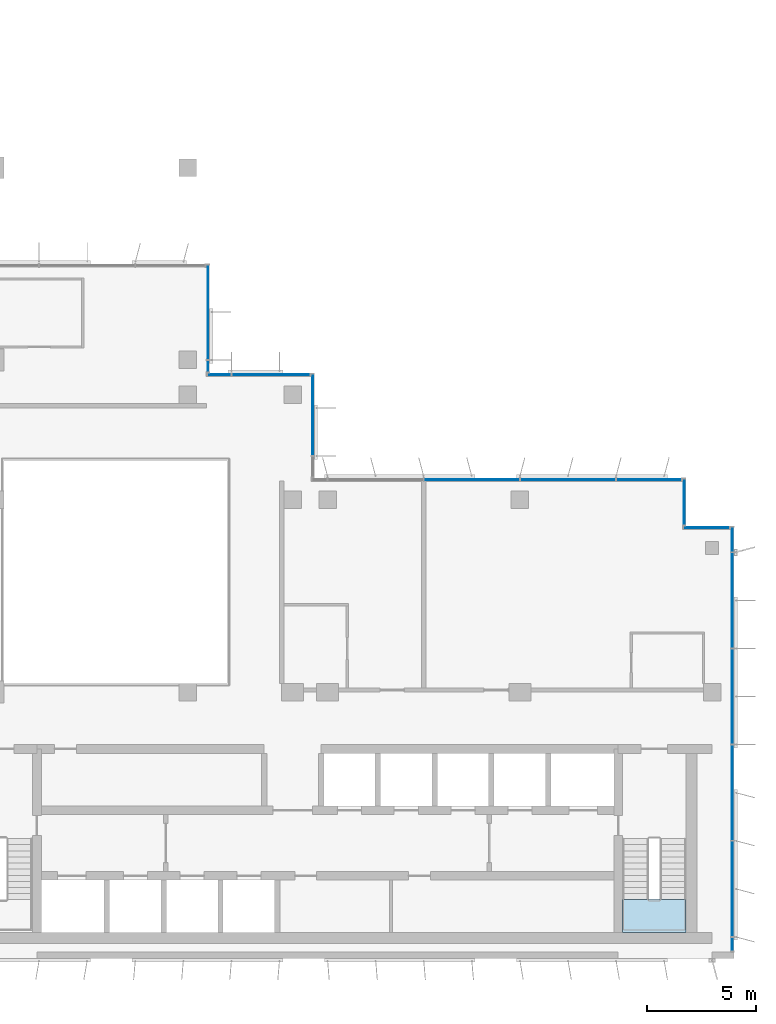
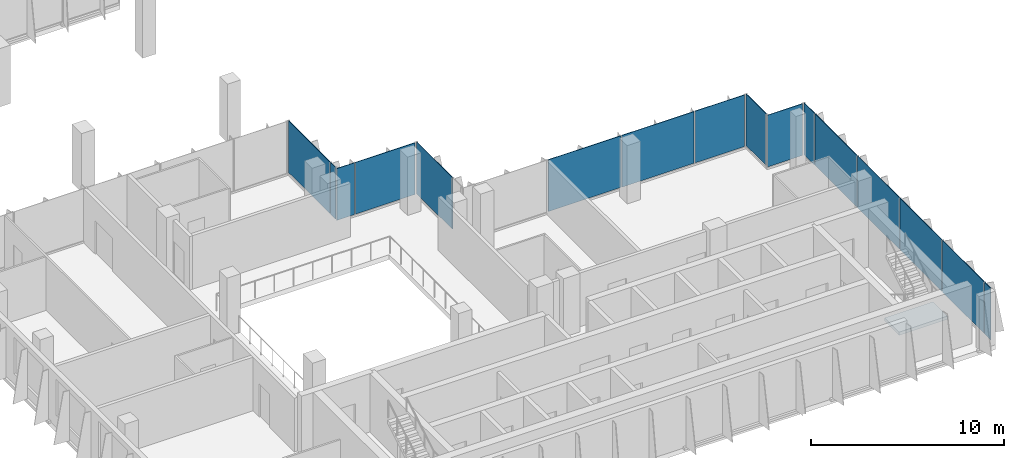
# One storey, part 7 of 14: 16 plates, 1 slab, 8 elements without a shape of their own.
"""IFC4 building model written with IfcOpenShell, lengths in metres."""

import ifcopenshell
import ifcopenshell.guid

model = None  # the IFC model being written
_history = None  # IfcOwnerHistory: only IFC2X3 demands one
_inside = {}  # id of a spatial element -> (the spatial element, [elements in it])
_under = {}  # id of a project, library or spatial element -> (it, [spatial elements below it])
_declared = {}  # id of a project -> (the project, [libraries it declares])
_typed = {}  # id of a type object -> (the type object, [elements of that type])
_made_of = {}  # id of a material, layer set ... -> (it, [elements and type objects made of it])


def new_model(schema):
    """Start an empty IFC model of exactly this schema.

    Asked for "IFC4X3", IfcOpenShell would pick the latest addendum, in which some entities
    have other attributes; the version numbers below select the first issue.
    IFC2X3 requires an IfcOwnerHistory on every rooted entity: one is made here for all.
    """
    global model, _history
    if schema == "IFC4X3":
        model = ifcopenshell.file(schema_version=(4, 3, 0, 0))
    else:
        model = ifcopenshell.file(schema=schema)
    _inside.clear()
    _under.clear()
    _declared.clear()
    _typed.clear()
    _made_of.clear()
    _history = None
    if model.schema == "IFC2X3":
        org = make("IfcOrganization", Name="unknown")
        user = make(
            "IfcPersonAndOrganization",
            ThePerson=make("IfcPerson", FamilyName="unknown"),
            TheOrganization=org,
        )
        app = make(
            "IfcApplication",
            ApplicationDeveloper=org,
            Version="unknown",
            ApplicationFullName="unknown",
            ApplicationIdentifier="unknown",
        )
        _history = make(
            "IfcOwnerHistory",
            OwningUser=user,
            OwningApplication=app,
            ChangeAction="ADDED",
            CreationDate=0,
        )
    return model


def make(cls, **values):
    """One entity of the class cls with the attributes given. An attribute that is None is left unset."""
    return model.create_entity(
        cls, **{name: value for name, value in values.items() if value is not None}
    )


def rooted(cls, **values):
    """An entity with a GlobalId (a new one), such as an element, a storey or a relation."""
    return make(cls, GlobalId=ifcopenshell.guid.new(), OwnerHistory=_history, **values)


def si_unit(unit_type, name, prefix=None):
    """IfcSIUnit, for example si_unit("LENGTHUNIT", "METRE", prefix="MILLI")."""
    return make("IfcSIUnit", UnitType=unit_type, Prefix=prefix, Name=name)


def assignment(units):
    """IfcUnitAssignment: the units of a project."""
    return None if units is None else make("IfcUnitAssignment", Units=units)


def point(xyz):
    """IfcCartesianPoint."""
    return None if xyz is None else make("IfcCartesianPoint", Coordinates=xyz)


def direction(xyz):
    """IfcDirection."""
    return None if xyz is None else make("IfcDirection", DirectionRatios=xyz)


def frame(location, z_axis=None, x_axis=None):
    """IfcAxis2Placement3D, a coordinate frame: its origin and axes. An axis left out is left unset."""
    return make(
        "IfcAxis2Placement3D",
        Location=point(location),
        Axis=direction(z_axis),
        RefDirection=direction(x_axis),
    )


def frame_2d(location, x_axis=None):
    """IfcAxis2Placement2D, a coordinate frame in the plane: its origin and x axis."""
    return make(
        "IfcAxis2Placement2D", Location=point(location), RefDirection=direction(x_axis)
    )


def origin():
    """The frame at (0, 0, 0) with its axes left unset."""
    return frame((0.0, 0.0, 0.0))


def origin_2d():
    """The frame at (0, 0) in the plane with its x axis left unset."""
    return frame_2d((0.0, 0.0))


def place(relative_to, where):
    """IfcLocalPlacement: puts the frame where relative to a parent placement (None: the world)."""
    return make(
        "IfcLocalPlacement", PlacementRelTo=relative_to, RelativePlacement=where
    )


def context(
    kind, dimensions, precision=None, world=None, true_north=None, identifier=None
):
    """IfcGeometricRepresentationContext, for example the 3D "Model" context."""
    return make(
        "IfcGeometricRepresentationContext",
        ContextIdentifier=identifier,
        ContextType=kind,
        CoordinateSpaceDimension=dimensions,
        Precision=precision,
        WorldCoordinateSystem=world,
        TrueNorth=true_north,
    )


def subcontext(parent, identifier, kind, view, scale=None):
    """IfcGeometricRepresentationSubContext, for example "Body" below "Model"."""
    return make(
        "IfcGeometricRepresentationSubContext",
        ContextIdentifier=identifier,
        ContextType=kind,
        ParentContext=parent,
        TargetScale=scale,
        TargetView=view,
    )


def project(units=None, contexts=None):
    """IfcProject with its units and contexts."""
    return rooted(
        "IfcProject",
        Name="project",
        RepresentationContexts=contexts,
        UnitsInContext=assignment(units),
    )


def spatial(cls, under=None, at=None, **own):
    """A site, building, storey or space (cls), placed at a placement, below another one or the project."""
    s = rooted(cls, ObjectPlacement=at, **own)
    if under is not None:
        _under.setdefault(under.id(), (under, []))[1].append(s)
    return s


def polyline(points):
    """IfcPolyline through the points."""
    return make("IfcPolyline", Points=[point(p) for p in points])


def profile(cls, at=None, kind="AREA", **sizes):
    """A parametric profile (cls). Its sizes go by their IFC names, for example OverallWidth=200.0."""
    return make(cls, ProfileType=kind, Position=at, **sizes)


def rectangle(**sizes):
    """IfcRectangleProfileDef."""
    return profile("IfcRectangleProfileDef", **sizes)


def outline(outer, holes=None, kind="AREA"):
    """IfcArbitraryClosedProfileDef: a profile drawn as a closed curve; with holes, ...WithVoids."""
    if holes is None:
        return make("IfcArbitraryClosedProfileDef", ProfileType=kind, OuterCurve=outer)
    return make(
        "IfcArbitraryProfileDefWithVoids",
        ProfileType=kind,
        OuterCurve=outer,
        InnerCurves=holes,
    )


def extrude(swept, where, along, depth):
    """IfcExtrudedAreaSolid: the profile swept, set in the frame where, extruded along a direction by depth."""
    return make(
        "IfcExtrudedAreaSolid",
        SweptArea=swept,
        Position=where,
        ExtrudedDirection=direction(along),
        Depth=depth,
    )


def shape(context_of_items, identifier, shape_type, items):
    """IfcShapeRepresentation: the items that make up one representation, for example the "Body"."""
    return make(
        "IfcShapeRepresentation",
        ContextOfItems=context_of_items,
        RepresentationIdentifier=identifier,
        RepresentationType=shape_type,
        Items=items,
    )


def source(mapping_origin, context_of_items, identifier, shape_type, items):
    """IfcRepresentationMap: a shape defined once, which mapped items show again and again."""
    return make(
        "IfcRepresentationMap",
        MappingOrigin=mapping_origin,
        MappedRepresentation=shape(context_of_items, identifier, shape_type, items),
    )


def transform(
    local_origin,
    x_axis=None,
    y_axis=None,
    z_axis=None,
    scale=None,
    scale2=None,
    scale3=None,
    uniform=True,
):
    """IfcCartesianTransformationOperator3D, or its non-uniform kind. x_axis, y_axis, z_axis: its Axis1, 2, 3."""
    if uniform:
        return make(
            "IfcCartesianTransformationOperator3D",
            Axis1=direction(x_axis),
            Axis2=direction(y_axis),
            LocalOrigin=point(local_origin),
            Scale=scale,
            Axis3=direction(z_axis),
        )
    return make(
        "IfcCartesianTransformationOperator3DnonUniform",
        Axis1=direction(x_axis),
        Axis2=direction(y_axis),
        LocalOrigin=point(local_origin),
        Scale=scale,
        Axis3=direction(z_axis),
        Scale2=scale2,
        Scale3=scale3,
    )


def mapped(mapping_source, mapping_target):
    """IfcMappedItem: shows the shape of a source again, moved by a transform."""
    return make(
        "IfcMappedItem", MappingSource=mapping_source, MappingTarget=mapping_target
    )


def material(Name=None, Category=None):
    """IfcMaterial."""
    return make("IfcMaterial", Name=Name, Category=Category)


def layer(
    of_material, thickness, ventilated=None, Name=None, Category=None, Priority=None
):
    """IfcMaterialLayer: one layer of a wall or slab, of a material (None: an air gap)."""
    return make(
        "IfcMaterialLayer",
        Material=of_material,
        LayerThickness=thickness,
        IsVentilated=ventilated,
        Name=Name,
        Category=Category,
        Priority=Priority,
    )


def layer_set(layers, Name=None):
    """IfcMaterialLayerSet."""
    return make("IfcMaterialLayerSet", MaterialLayers=layers, LayerSetName=Name)


def made_of(thing, what):
    """Note that an element or type object is made of a material, layer set ...; save() writes the relation."""
    if what is not None:
        _made_of.setdefault(what.id(), (what, []))[1].append(thing)
    return thing


def type_object(cls, material=None, **own):
    """A type object (cls), such as IfcWallType, which elements share."""
    return made_of(rooted(cls, **own), material)


def element(
    cls,
    number,
    at=None,
    inside=None,
    cuts=None,
    type_object=None,
    material=None,
    context=None,
    identifier="Body",
    shape_type=None,
    held_by="IfcProductDefinitionShape",
    body=None,
    shapes=None,
    **own,
):
    """One element of the class cls, such as IfcWall. Its Tag is "e" and its number.

    at: its placement. inside: the storey or other place that contains it. cuts: it is an
    opening in that element (IfcRelVoidsElement). A single representation is given by context,
    identifier, shape_type and body (its items); several are given by shapes. held_by: the class
    of the entity that holds the representations. save() writes the other relations.
    """
    e = rooted(cls, Tag="e%d" % number, ObjectPlacement=at, **own)
    if body is not None:
        shapes = [shape(context, identifier, shape_type, body)]
    if shapes is not None:
        e.Representation = make(held_by, Representations=shapes)
    if inside is not None:
        _inside.setdefault(inside.id(), (inside, []))[1].append(e)
    if cuts is not None:
        rooted(
            "IfcRelVoidsElement", RelatingBuildingElement=cuts, RelatedOpeningElement=e
        )
    if type_object is not None:
        _typed.setdefault(type_object.id(), (type_object, []))[1].append(e)
    return made_of(e, material)


def aggregate(whole, parts):
    """IfcRelAggregates: a whole, such as a stair, and the parts it consists of."""
    return rooted("IfcRelAggregates", RelatingObject=whole, RelatedObjects=parts)


def save(model, path):
    """Write the relations noted so far, then the file.

    IfcRelAggregates (storeys below a building ...), IfcRelContainedInSpatialStructure (elements
    in a storey), IfcRelDefinesByType, IfcRelAssociatesMaterial and IfcRelDeclares: one each for
    every whole, place, type object, material and project.
    """
    for whole, parts in _under.values():
        aggregate(whole, parts)
    for where, things in _inside.values():
        rooted(
            "IfcRelContainedInSpatialStructure",
            RelatedElements=things,
            RelatingStructure=where,
        )
    for kind, things in _typed.values():
        rooted("IfcRelDefinesByType", RelatedObjects=things, RelatingType=kind)
    for what, things in _made_of.values():
        rooted("IfcRelAssociatesMaterial", RelatedObjects=things, RelatingMaterial=what)
    for by, libraries in _declared.values():
        rooted("IfcRelDeclares", RelatingContext=by, RelatedDefinitions=libraries)
    model.write(path)


model = new_model("IFC4")

# Units and contexts
model_context = context("Model", 3, precision=1e-05, world=origin(), true_north=direction((0.0, 1.0)))
body_context = subcontext(model_context, "Body", "Model", "MODEL_VIEW")
ifc_project = project(units=[si_unit("LENGTHUNIT", "METRE"), si_unit("AREAUNIT", "SQUARE_METRE"), si_unit("VOLUMEUNIT", "CUBIC_METRE"), si_unit("PLANEANGLEUNIT", "RADIAN"), si_unit("MASSUNIT", "GRAM", prefix="KILO")], contexts=[model_context])

# Site, building, storey
site_placement = place(None, origin())
site = spatial("IfcSite", under=ifc_project, at=site_placement, CompositionType="ELEMENT")
building_placement = place(site_placement, origin())
building = spatial("IfcBuilding", under=site, at=building_placement, Name="Kemantara Hotel Tower", CompositionType="ELEMENT")
storey_placement = place(building_placement, frame((0.0, 0.0, 248.699951171875)))
storey = spatial("IfcBuildingStorey", under=building, at=storey_placement, Name="L62", CompositionType="ELEMENT", Elevation=248.699951171875)

# Stair, slab
ifc_material_1 = material(Name="Concrete fc 40 MPa", Category="concrete")
stair_type = type_object("IfcStairType", Name="Stair 1200 wide 22 risers of 168 x 280 mm", PredefinedType="HALF_TURN_STAIR", material=ifc_material_1)
stair_placement = place(storey_placement, origin())
stair = element("IfcStair", 1, at=stair_placement, inside=storey, type_object=stair_type, Name="L62 Exit stair ST2", PredefinedType="HALF_TURN_STAIR")
ifc_layer_1 = layer(ifc_material_1, 0.199951171875)
ifc_layer_set_1 = layer_set([ifc_layer_1], Name="Concrete fc 40 MPa")
slab_type = type_object("IfcSlabType", Name="Stair landing 200 mm", PredefinedType="LANDING", material=ifc_layer_set_1)
slab_placement = place(storey_placement, frame((0.0, 0.0, 1.650146484375)))
slab = element("IfcSlab", 2, at=slab_placement, type_object=slab_type, Name="ST2 landing 1", PredefinedType="LANDING", context=body_context, shape_type="SweptSolid", body=[
    extrude(outline(polyline([(40.89990234375, 2.699951171875), (40.89990234375, 1.199951171875), (43.800048828125, 1.199951171875), (43.800048828125, 2.699951171875), (40.89990234375, 2.699951171875)])), origin(), (0.0, 0.0, 1.0), 0.199951171875),
])
aggregate(stair, [slab])

# Curtain wall, plates
ifc_material_2 = material(Name="Low-E tinted double insulated glass 36 mm", Category="glass")
curtain_wall_type = type_object("IfcCurtainWallType", Name="TOWER CURTAIN WALL, FRONT FACES", PredefinedType="USERDEFINED", material=ifc_material_2)
curtain_wall_1_placement = place(storey_placement, origin())
curtain_wall_1 = element("IfcCurtainWall", 3, at=curtain_wall_1_placement, inside=storey, type_object=curtain_wall_type, Name="CW4 L62 T4P-R06-1", ObjectType="TOWER CURTAIN WALL, FRONT FACES", PredefinedType="USERDEFINED")
ifc_layer_2 = layer(ifc_material_2, 0.035888671875)
ifc_layer_set_2 = layer_set([ifc_layer_2], Name="Low-E tinted double insulated glass 36 mm")
plate_type = type_object("IfcPlateType", Name="TOWER CURTAIN WALL, FRONT FACES PANEL", PredefinedType="CURTAIN_PANEL", material=ifc_layer_set_2)
shared_shape_1 = source(origin(), body_context, "Body", "SweptSolid", [
    extrude(rectangle(XDim=4.340087890625, YDim=0.035888671875, at=origin_2d()), origin(), (0.0, 0.0, 1.0), 3.280029296875),
])
plate_1_placement = place(storey_placement, frame((45.925048828125, 3.199951171875, 0.1201171875), z_axis=(0.0, 0.0, 1.0), x_axis=(0.0, 1.0, 0.0)))
plate_1 = element("IfcPlate", 4, at=plate_1_placement, type_object=plate_type, Name="CW4 glass panel T4P-R06-1.2", PredefinedType="CURTAIN_PANEL", context=body_context, shape_type="MappedRepresentation", body=[
    mapped(shared_shape_1, transform((0.0, 0.0, 0.0))),
])
plate_2_placement = place(storey_placement, frame((45.925048828125, 7.60009765625, 0.1201171875), z_axis=(0.0, 0.0, 1.0), x_axis=(0.0, 1.0, 0.0)))
plate_2 = element("IfcPlate", 5, at=plate_2_placement, type_object=plate_type, Name="CW4 glass panel T4P-R06-1.3", PredefinedType="CURTAIN_PANEL", context=body_context, shape_type="MappedRepresentation", body=[
    mapped(shared_shape_1, transform((0.0, 0.0, 0.0))),
])
plate_3_placement = place(storey_placement, frame((45.925048828125, 12.0, 0.1201171875), z_axis=(0.0, 0.0, 1.0), x_axis=(0.0, 1.0, 0.0)))
plate_3 = element("IfcPlate", 6, at=plate_3_placement, type_object=plate_type, Name="CW4 glass panel T4P-R06-1.4", PredefinedType="CURTAIN_PANEL", context=body_context, shape_type="MappedRepresentation", body=[
    mapped(shared_shape_1, transform((0.0, 0.0, 0.0))),
])
plate_4_placement = place(storey_placement, frame((45.925048828125, 16.39990234375, 0.1201171875), z_axis=(0.0, 0.0, 1.0), x_axis=(0.0, 1.0, 0.0)))
plate_4 = element("IfcPlate", 7, at=plate_4_placement, type_object=plate_type, Name="CW4 glass panel T4P-R06-1.5", PredefinedType="CURTAIN_PANEL", context=body_context, shape_type="MappedRepresentation", body=[
    mapped(shared_shape_1, transform((0.0, 0.0, 0.0))),
])

curtain_wall_2_placement = place(storey_placement, origin())
curtain_wall_2 = element("IfcCurtainWall", 8, at=curtain_wall_2_placement, inside=storey, type_object=curtain_wall_type, Name="CW4 L62 T4P-R09-1", ObjectType="TOWER CURTAIN WALL, FRONT FACES", PredefinedType="USERDEFINED")
plate_5_placement = place(storey_placement, frame((38.39990234375, 21.925048828125, 0.1201171875), z_axis=(0.0, 0.0, 1.0), x_axis=(-1.0, 0.0, 0.0)))
plate_5 = element("IfcPlate", 9, at=plate_5_placement, type_object=plate_type, Name="CW4 glass panel T4P-R09-1.2", PredefinedType="CURTAIN_PANEL", context=body_context, shape_type="MappedRepresentation", body=[
    mapped(shared_shape_1, transform((0.0, 0.0, 0.0))),
])
plate_6_placement = place(storey_placement, frame((34.0, 21.925048828125, 0.1201171875), z_axis=(0.0, 0.0, 1.0), x_axis=(-1.0, 0.0, 0.0)))
plate_6 = element("IfcPlate", 10, at=plate_6_placement, type_object=plate_type, Name="CW4 glass panel T4P-R09-1.3", PredefinedType="CURTAIN_PANEL", context=body_context, shape_type="MappedRepresentation", body=[
    mapped(shared_shape_1, transform((0.0, 0.0, 0.0))),
])

# Curtain wall, plate
curtain_wall_3_placement = place(storey_placement, origin())
curtain_wall_3 = element("IfcCurtainWall", 11, at=curtain_wall_3_placement, inside=storey, type_object=curtain_wall_type, Name="CW4 L62 T4P-R07-1", ObjectType="TOWER CURTAIN WALL, FRONT FACES", PredefinedType="USERDEFINED")
shared_shape_2 = source(origin(), body_context, "Body", "SweptSolid", [
    extrude(rectangle(XDim=2.080078125, YDim=0.035888671875, at=origin_2d()), origin(), (0.0, 0.0, 1.0), 3.280029296875),
])
plate_7_placement = place(storey_placement, frame((44.75, 19.72509765625, 0.1201171875), z_axis=(0.0, 0.0, 1.0), x_axis=(-1.0, 0.0, 0.0)))
plate_7 = element("IfcPlate", 12, at=plate_7_placement, type_object=plate_type, Name="CW4 glass panel T4P-R07-1.1", PredefinedType="CURTAIN_PANEL", context=body_context, shape_type="MappedRepresentation", body=[
    mapped(shared_shape_2, transform((0.0, 0.0, 0.0))),
])
aggregate(curtain_wall_3, [plate_7])

curtain_wall_4_placement = place(storey_placement, origin())
curtain_wall_4 = element("IfcCurtainWall", 13, at=curtain_wall_4_placement, inside=storey, type_object=curtain_wall_type, Name="CW4 L62 T4P-R08-1", ObjectType="TOWER CURTAIN WALL, FRONT FACES", PredefinedType="USERDEFINED")
plate_8_placement = place(storey_placement, frame((43.72509765625, 20.89990234375, 0.1201171875), z_axis=(0.0, 0.0, 1.0), x_axis=(0.0, 1.0, 0.0)))
plate_8 = element("IfcPlate", 14, at=plate_8_placement, type_object=plate_type, Name="CW4 glass panel T4P-R08-1.1", PredefinedType="CURTAIN_PANEL", context=body_context, shape_type="MappedRepresentation", body=[
    mapped(shared_shape_2, transform((0.0, 0.0, 0.0))),
])
aggregate(curtain_wall_4, [plate_8])

# Plate
shared_shape_3 = source(origin(), body_context, "Body", "SweptSolid", [
    extrude(rectangle(XDim=2.9599609375, YDim=0.035888671875, at=origin_2d()), origin(), (0.0, 0.0, 1.0), 3.280029296875),
])
plate_9_placement = place(storey_placement, frame((42.110107421875, 21.925048828125, 0.1201171875), z_axis=(0.0, 0.0, 1.0), x_axis=(-1.0, 0.0, 0.0)))
plate_9 = element("IfcPlate", 15, at=plate_9_placement, type_object=plate_type, Name="CW4 glass panel T4P-R09-1.1", PredefinedType="CURTAIN_PANEL", context=body_context, shape_type="MappedRepresentation", body=[
    mapped(shared_shape_3, transform((0.0, 0.0, 0.0))),
])

aggregate(curtain_wall_2, [plate_9, plate_5, plate_6])

# Curtain wall, plate
curtain_wall_5_placement = place(storey_placement, origin())
curtain_wall_5 = element("IfcCurtainWall", 16, at=curtain_wall_5_placement, inside=storey, type_object=curtain_wall_type, Name="CW4 L62 T4P-R00-1", ObjectType="TOWER CURTAIN WALL, FRONT FACES", PredefinedType="USERDEFINED")
shared_shape_4 = source(origin(), body_context, "Body", "SweptSolid", [
    extrude(rectangle(XDim=0.510009765625, YDim=0.035888671875, at=origin_2d()), origin(), (0.0, 0.0, 1.0), 3.280029296875),
])
plate_10_placement = place(storey_placement, frame((21.925048828125, 27.114990234375, 0.1201171875), z_axis=(0.0, 0.0, 1.0), x_axis=(0.0, 1.0, 0.0)))
plate_10 = element("IfcPlate", 17, at=plate_10_placement, type_object=plate_type, Name="CW4 glass panel T4P-R00-1.1", PredefinedType="CURTAIN_PANEL", context=body_context, shape_type="MappedRepresentation", body=[
    mapped(shared_shape_4, transform((0.0, 0.0, 0.0))),
])

# Plate
shared_shape_5 = source(origin(), body_context, "Body", "SweptSolid", [
    extrude(rectangle(XDim=1.110107421875, YDim=0.035888671875, at=origin_2d()), origin(), (0.0, 0.0, 1.0), 3.280029296875),
])
plate_11_placement = place(storey_placement, frame((45.925048828125, 19.18505859375, 0.1201171875), z_axis=(0.0, 0.0, 1.0), x_axis=(0.0, 1.0, 0.0)))
plate_11 = element("IfcPlate", 18, at=plate_11_placement, type_object=plate_type, Name="CW4 glass panel T4P-R06-1.6", PredefinedType="CURTAIN_PANEL", context=body_context, shape_type="MappedRepresentation", body=[
    mapped(shared_shape_5, transform((0.0, 0.0, 0.0))),
])

# Curtain wall, plate
curtain_wall_6_placement = place(storey_placement, origin())
curtain_wall_6 = element("IfcCurtainWall", 19, at=curtain_wall_6_placement, inside=storey, type_object=curtain_wall_type, Name="CW4 L62 T4P-R10-1", ObjectType="TOWER CURTAIN WALL, FRONT FACES", PredefinedType="USERDEFINED")
shared_shape_6 = source(origin(), body_context, "Body", "SweptSolid", [
    extrude(rectangle(XDim=3.7099609375, YDim=0.035888671875, at=origin_2d()), origin(), (0.0, 0.0, 1.0), 3.280029296875),
])
plate_12_placement = place(storey_placement, frame((26.72509765625, 24.885009765625, 0.1201171875), z_axis=(0.0, 0.0, 1.0), x_axis=(0.0, 1.0, 0.0)))
plate_12 = element("IfcPlate", 20, at=plate_12_placement, type_object=plate_type, Name="CW4 glass panel T4P-R10-1.2", PredefinedType="CURTAIN_PANEL", context=body_context, shape_type="MappedRepresentation", body=[
    mapped(shared_shape_6, transform((0.0, 0.0, 0.0))),
])
aggregate(curtain_wall_6, [plate_12])

# Curtain wall, plates
curtain_wall_7_placement = place(storey_placement, origin())
curtain_wall_7 = element("IfcCurtainWall", 21, at=curtain_wall_7_placement, inside=storey, type_object=curtain_wall_type, Name="CW4 L62 T4P-R11-1", ObjectType="TOWER CURTAIN WALL, FRONT FACES", PredefinedType="USERDEFINED")
shared_shape_7 = source(origin(), body_context, "Body", "SweptSolid", [
    extrude(rectangle(XDim=3.56005859375, YDim=0.035888671875, at=origin_2d()), origin(), (0.0, 0.0, 1.0), 3.280029296875),
])
plate_13_placement = place(storey_placement, frame((24.81005859375, 26.72509765625, 0.1201171875), z_axis=(0.0, 0.0, 1.0), x_axis=(-1.0, 0.0, 0.0)))
plate_13 = element("IfcPlate", 22, at=plate_13_placement, type_object=plate_type, Name="CW4 glass panel T4P-R11-1.1", PredefinedType="CURTAIN_PANEL", context=body_context, shape_type="MappedRepresentation", body=[
    mapped(shared_shape_7, transform((0.0, 0.0, 0.0))),
])
shared_shape_8 = source(origin(), body_context, "Body", "SweptSolid", [
    extrude(rectangle(XDim=1.06005859375, YDim=0.035888671875, at=origin_2d()), origin(), (0.0, 0.0, 1.0), 3.280029296875),
])
plate_14_placement = place(storey_placement, frame((22.43994140625, 26.72509765625, 0.1201171875), z_axis=(0.0, 0.0, 1.0), x_axis=(-1.0, 0.0, 0.0)))
plate_14 = element("IfcPlate", 23, at=plate_14_placement, type_object=plate_type, Name="CW4 glass panel T4P-R11-1.2", PredefinedType="CURTAIN_PANEL", context=body_context, shape_type="MappedRepresentation", body=[
    mapped(shared_shape_8, transform((0.0, 0.0, 0.0))),
])
aggregate(curtain_wall_7, [plate_13, plate_14])

# Plate
shared_shape_9 = source(origin(), body_context, "Body", "SweptSolid", [
    extrude(rectangle(XDim=0.610107421875, YDim=0.035888671875, at=origin_2d()), origin(), (0.0, 0.0, 1.0), 3.280029296875),
])
plate_15_placement = place(storey_placement, frame((45.925048828125, 0.6650390625, 0.1201171875), z_axis=(0.0, 0.0, 1.0), x_axis=(0.0, 1.0, 0.0)))
plate_15 = element("IfcPlate", 24, at=plate_15_placement, type_object=plate_type, Name="CW4 glass panel T4P-R06-1.1", PredefinedType="CURTAIN_PANEL", context=body_context, shape_type="MappedRepresentation", body=[
    mapped(shared_shape_9, transform((0.0, 0.0, 0.0))),
])

aggregate(curtain_wall_1, [plate_15, plate_1, plate_2, plate_3, plate_4, plate_11])

shared_shape_10 = source(origin(), body_context, "Body", "SweptSolid", [
    extrude(rectangle(XDim=4.31005859375, YDim=0.035888671875, at=origin_2d()), origin(), (0.0, 0.0, 1.0), 3.280029296875),
])
plate_16_placement = place(storey_placement, frame((21.925048828125, 29.5849609375, 0.1201171875), z_axis=(0.0, 0.0, 1.0), x_axis=(0.0, 1.0, 0.0)))
plate_16 = element("IfcPlate", 25, at=plate_16_placement, type_object=plate_type, Name="CW4 glass panel T4P-R00-1.2", PredefinedType="CURTAIN_PANEL", context=body_context, shape_type="MappedRepresentation", body=[
    mapped(shared_shape_10, transform((0.0, 0.0, 0.0))),
])

aggregate(curtain_wall_5, [plate_10, plate_16])

save(model, "model.ifc")
